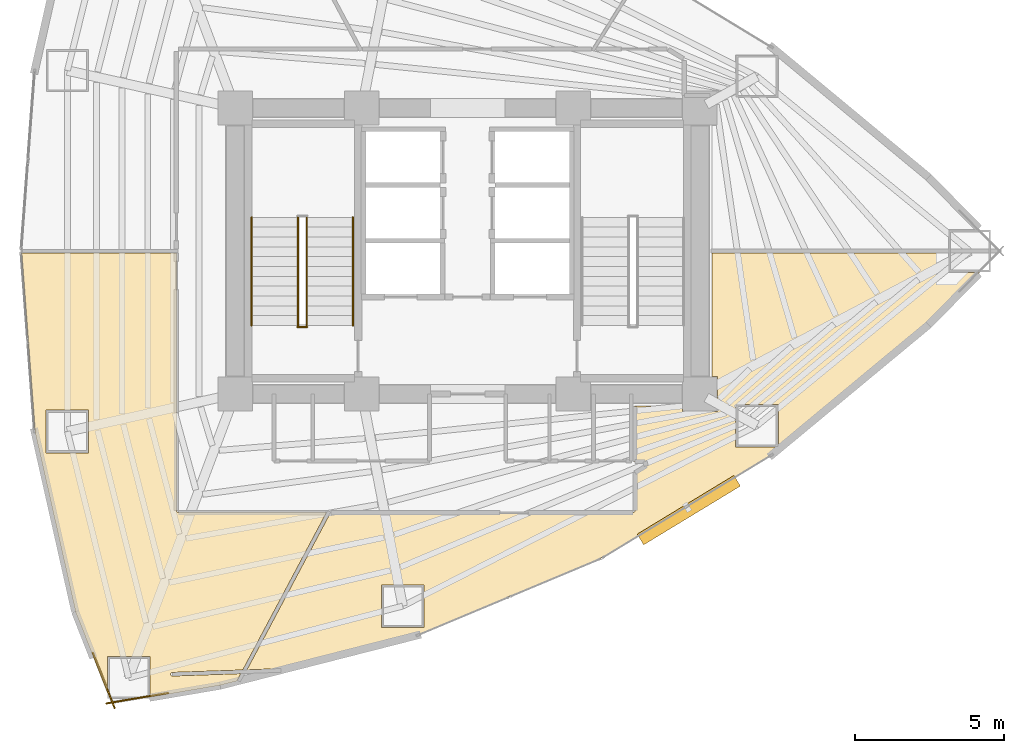
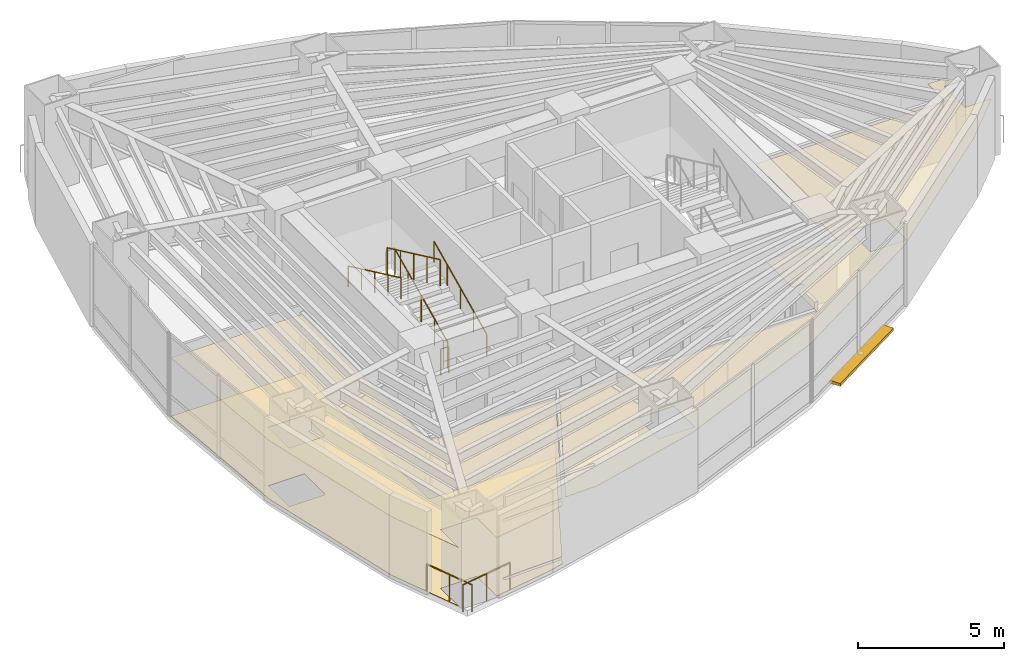
# One storey, part 16 of 18: 7 railings, 3 coverings, 1 shading device.
"""IFC4 building model written with IfcOpenShell, lengths in metres."""

import ifcopenshell
import ifcopenshell.guid

model = None  # the IFC model being written
_history = None  # IfcOwnerHistory: only IFC2X3 demands one
_inside = {}  # id of a spatial element -> (the spatial element, [elements in it])
_under = {}  # id of a project, library or spatial element -> (it, [spatial elements below it])
_declared = {}  # id of a project -> (the project, [libraries it declares])
_typed = {}  # id of a type object -> (the type object, [elements of that type])
_made_of = {}  # id of a material, layer set ... -> (it, [elements and type objects made of it])


def new_model(schema):
    """Start an empty IFC model of exactly this schema.

    Asked for "IFC4X3", IfcOpenShell would pick the latest addendum, in which some entities
    have other attributes; the version numbers below select the first issue.
    IFC2X3 requires an IfcOwnerHistory on every rooted entity: one is made here for all.
    """
    global model, _history
    if schema == "IFC4X3":
        model = ifcopenshell.file(schema_version=(4, 3, 0, 0))
    else:
        model = ifcopenshell.file(schema=schema)
    _inside.clear()
    _under.clear()
    _declared.clear()
    _typed.clear()
    _made_of.clear()
    _history = None
    if model.schema == "IFC2X3":
        org = make("IfcOrganization", Name="unknown")
        user = make(
            "IfcPersonAndOrganization",
            ThePerson=make("IfcPerson", FamilyName="unknown"),
            TheOrganization=org,
        )
        app = make(
            "IfcApplication",
            ApplicationDeveloper=org,
            Version="unknown",
            ApplicationFullName="unknown",
            ApplicationIdentifier="unknown",
        )
        _history = make(
            "IfcOwnerHistory",
            OwningUser=user,
            OwningApplication=app,
            ChangeAction="ADDED",
            CreationDate=0,
        )
    return model


def make(cls, **values):
    """One entity of the class cls with the attributes given. An attribute that is None is left unset."""
    return model.create_entity(
        cls, **{name: value for name, value in values.items() if value is not None}
    )


def rooted(cls, **values):
    """An entity with a GlobalId (a new one), such as an element, a storey or a relation."""
    return make(cls, GlobalId=ifcopenshell.guid.new(), OwnerHistory=_history, **values)


def si_unit(unit_type, name, prefix=None):
    """IfcSIUnit, for example si_unit("LENGTHUNIT", "METRE", prefix="MILLI")."""
    return make("IfcSIUnit", UnitType=unit_type, Prefix=prefix, Name=name)


def assignment(units):
    """IfcUnitAssignment: the units of a project."""
    return None if units is None else make("IfcUnitAssignment", Units=units)


def point(xyz):
    """IfcCartesianPoint."""
    return None if xyz is None else make("IfcCartesianPoint", Coordinates=xyz)


def direction(xyz):
    """IfcDirection."""
    return None if xyz is None else make("IfcDirection", DirectionRatios=xyz)


def frame(location, z_axis=None, x_axis=None):
    """IfcAxis2Placement3D, a coordinate frame: its origin and axes. An axis left out is left unset."""
    return make(
        "IfcAxis2Placement3D",
        Location=point(location),
        Axis=direction(z_axis),
        RefDirection=direction(x_axis),
    )


def frame_2d(location, x_axis=None):
    """IfcAxis2Placement2D, a coordinate frame in the plane: its origin and x axis."""
    return make(
        "IfcAxis2Placement2D", Location=point(location), RefDirection=direction(x_axis)
    )


def origin():
    """The frame at (0, 0, 0) with its axes left unset."""
    return frame((0.0, 0.0, 0.0))


def origin_2d():
    """The frame at (0, 0) in the plane with its x axis left unset."""
    return frame_2d((0.0, 0.0))


def place(relative_to, where):
    """IfcLocalPlacement: puts the frame where relative to a parent placement (None: the world)."""
    return make(
        "IfcLocalPlacement", PlacementRelTo=relative_to, RelativePlacement=where
    )


def context(
    kind, dimensions, precision=None, world=None, true_north=None, identifier=None
):
    """IfcGeometricRepresentationContext, for example the 3D "Model" context."""
    return make(
        "IfcGeometricRepresentationContext",
        ContextIdentifier=identifier,
        ContextType=kind,
        CoordinateSpaceDimension=dimensions,
        Precision=precision,
        WorldCoordinateSystem=world,
        TrueNorth=true_north,
    )


def subcontext(parent, identifier, kind, view, scale=None):
    """IfcGeometricRepresentationSubContext, for example "Body" below "Model"."""
    return make(
        "IfcGeometricRepresentationSubContext",
        ContextIdentifier=identifier,
        ContextType=kind,
        ParentContext=parent,
        TargetScale=scale,
        TargetView=view,
    )


def project(units=None, contexts=None):
    """IfcProject with its units and contexts."""
    return rooted(
        "IfcProject",
        Name="project",
        RepresentationContexts=contexts,
        UnitsInContext=assignment(units),
    )


def spatial(cls, under=None, at=None, **own):
    """A site, building, storey or space (cls), placed at a placement, below another one or the project."""
    s = rooted(cls, ObjectPlacement=at, **own)
    if under is not None:
        _under.setdefault(under.id(), (under, []))[1].append(s)
    return s


def polyline(points):
    """IfcPolyline through the points."""
    return make("IfcPolyline", Points=[point(p) for p in points])


def profile(cls, at=None, kind="AREA", **sizes):
    """A parametric profile (cls). Its sizes go by their IFC names, for example OverallWidth=200.0."""
    return make(cls, ProfileType=kind, Position=at, **sizes)


def rectangle(**sizes):
    """IfcRectangleProfileDef."""
    return profile("IfcRectangleProfileDef", **sizes)


def circle(**sizes):
    """IfcCircleProfileDef."""
    return profile("IfcCircleProfileDef", **sizes)


def outline(outer, holes=None, kind="AREA"):
    """IfcArbitraryClosedProfileDef: a profile drawn as a closed curve; with holes, ...WithVoids."""
    if holes is None:
        return make("IfcArbitraryClosedProfileDef", ProfileType=kind, OuterCurve=outer)
    return make(
        "IfcArbitraryProfileDefWithVoids",
        ProfileType=kind,
        OuterCurve=outer,
        InnerCurves=holes,
    )


def extrude(swept, where, along, depth):
    """IfcExtrudedAreaSolid: the profile swept, set in the frame where, extruded along a direction by depth."""
    return make(
        "IfcExtrudedAreaSolid",
        SweptArea=swept,
        Position=where,
        ExtrudedDirection=direction(along),
        Depth=depth,
    )


def shape(context_of_items, identifier, shape_type, items):
    """IfcShapeRepresentation: the items that make up one representation, for example the "Body"."""
    return make(
        "IfcShapeRepresentation",
        ContextOfItems=context_of_items,
        RepresentationIdentifier=identifier,
        RepresentationType=shape_type,
        Items=items,
    )


def material(Name=None, Category=None):
    """IfcMaterial."""
    return make("IfcMaterial", Name=Name, Category=Category)


def layer(
    of_material, thickness, ventilated=None, Name=None, Category=None, Priority=None
):
    """IfcMaterialLayer: one layer of a wall or slab, of a material (None: an air gap)."""
    return make(
        "IfcMaterialLayer",
        Material=of_material,
        LayerThickness=thickness,
        IsVentilated=ventilated,
        Name=Name,
        Category=Category,
        Priority=Priority,
    )


def layer_set(layers, Name=None):
    """IfcMaterialLayerSet."""
    return make("IfcMaterialLayerSet", MaterialLayers=layers, LayerSetName=Name)


def made_of(thing, what):
    """Note that an element or type object is made of a material, layer set ...; save() writes the relation."""
    if what is not None:
        _made_of.setdefault(what.id(), (what, []))[1].append(thing)
    return thing


def type_object(cls, material=None, **own):
    """A type object (cls), such as IfcWallType, which elements share."""
    return made_of(rooted(cls, **own), material)


def element(
    cls,
    number,
    at=None,
    inside=None,
    cuts=None,
    type_object=None,
    material=None,
    context=None,
    identifier="Body",
    shape_type=None,
    held_by="IfcProductDefinitionShape",
    body=None,
    shapes=None,
    **own,
):
    """One element of the class cls, such as IfcWall. Its Tag is "e" and its number.

    at: its placement. inside: the storey or other place that contains it. cuts: it is an
    opening in that element (IfcRelVoidsElement). A single representation is given by context,
    identifier, shape_type and body (its items); several are given by shapes. held_by: the class
    of the entity that holds the representations. save() writes the other relations.
    """
    e = rooted(cls, Tag="e%d" % number, ObjectPlacement=at, **own)
    if body is not None:
        shapes = [shape(context, identifier, shape_type, body)]
    if shapes is not None:
        e.Representation = make(held_by, Representations=shapes)
    if inside is not None:
        _inside.setdefault(inside.id(), (inside, []))[1].append(e)
    if cuts is not None:
        rooted(
            "IfcRelVoidsElement", RelatingBuildingElement=cuts, RelatedOpeningElement=e
        )
    if type_object is not None:
        _typed.setdefault(type_object.id(), (type_object, []))[1].append(e)
    return made_of(e, material)


def aggregate(whole, parts):
    """IfcRelAggregates: a whole, such as a stair, and the parts it consists of."""
    return rooted("IfcRelAggregates", RelatingObject=whole, RelatedObjects=parts)


def save(model, path):
    """Write the relations noted so far, then the file.

    IfcRelAggregates (storeys below a building ...), IfcRelContainedInSpatialStructure (elements
    in a storey), IfcRelDefinesByType, IfcRelAssociatesMaterial and IfcRelDeclares: one each for
    every whole, place, type object, material and project.
    """
    for whole, parts in _under.values():
        aggregate(whole, parts)
    for where, things in _inside.values():
        rooted(
            "IfcRelContainedInSpatialStructure",
            RelatedElements=things,
            RelatingStructure=where,
        )
    for kind, things in _typed.values():
        rooted("IfcRelDefinesByType", RelatedObjects=things, RelatingType=kind)
    for what, things in _made_of.values():
        rooted("IfcRelAssociatesMaterial", RelatedObjects=things, RelatingMaterial=what)
    for by, libraries in _declared.values():
        rooted("IfcRelDeclares", RelatingContext=by, RelatedDefinitions=libraries)
    model.write(path)


model = new_model("IFC4")

# Units and contexts
model_context = context("Model", 3, precision=1e-05, world=origin(), true_north=direction((0.0, 1.0)))
body_context = subcontext(model_context, "Body", "Model", "MODEL_VIEW")
ifc_project = project(units=[si_unit("LENGTHUNIT", "METRE"), si_unit("AREAUNIT", "SQUARE_METRE"), si_unit("VOLUMEUNIT", "CUBIC_METRE"), si_unit("PLANEANGLEUNIT", "RADIAN"), si_unit("MASSUNIT", "GRAM", prefix="KILO")], contexts=[model_context])

# Site, building, storey
site_placement = place(None, origin())
site = spatial("IfcSite", under=ifc_project, at=site_placement, CompositionType="ELEMENT")
building_placement = place(site_placement, origin())
building = spatial("IfcBuilding", under=site, at=building_placement, Name="Menara Vayukalpa", CompositionType="ELEMENT")
storey_placement = place(building_placement, frame((0.0, 0.0, 35.0400390625)))
storey = spatial("IfcBuildingStorey", under=building, at=storey_placement, Name="L07", CompositionType="ELEMENT", Elevation=35.0400390625)

# Coverings
ifc_material_1 = material(Name="Mineral Fibre Acoustic Ceiling Tile", Category="masonry")
ifc_layer_1 = layer(ifc_material_1, 0.02490234375)
ifc_layer_set_1 = layer_set([ifc_layer_1], Name="Mineral Fibre Acoustic Ceiling Tile")
covering_type_1 = type_object("IfcCoveringType", Name="COV-CLG1", PredefinedType="CEILING", material=ifc_layer_set_1)
covering_1_placement = place(storey_placement, frame((0.0, 0.0, 2.449951171875)))
element("IfcCovering", 1, at=covering_1_placement, inside=storey, type_object=covering_type_1, Name="L07 Open Plan Office Workplace Acoustic Ceiling", PredefinedType="CEILING", context=body_context, shape_type="SweptSolid", body=[
    extrude(outline(polyline([(12.4375, 9.883056640625), (12.437255859375, 9.8837890625), (12.43701171875, 9.884521484375), (11.07421875, 15.941162109375), (11.073974609375, 15.942626953125), (10.625, 21.92919921875), (10.625, 21.93017578125), (10.625, 21.93115234375), (10.625244140625, 21.93212890625), (10.62548828125, 21.93310546875), (10.625732421875, 21.93408203125), (10.626220703125, 21.934814453125), (10.626708984375, 21.935791015625), (10.627197265625, 21.936279296875), (10.6279296875, 21.93701171875), (10.628662109375, 21.937744140625), (10.62939453125, 21.9384765625), (10.63037109375, 21.93896484375), (10.631103515625, 21.939208984375), (10.632080078125, 21.939697265625), (10.633056640625, 21.939697265625), (10.634033203125, 21.93994140625), (10.635009765625, 21.93994140625), (15.820068359375, 21.93994140625), (15.821044921875, 21.93994140625), (15.822021484375, 21.939697265625), (15.822998046875, 21.939697265625), (15.82373046875, 21.939208984375), (15.82470703125, 21.938720703125), (15.82568359375, 21.938232421875), (15.826416015625, 21.937744140625), (15.8271484375, 21.93701171875), (15.82763671875, 21.936279296875), (15.828369140625, 21.935546875), (15.828857421875, 21.934814453125), (15.8291015625, 21.933837890625), (15.82958984375, 21.932861328125), (15.829833984375, 21.931884765625), (15.830078125, 21.930908203125), (15.830078125, 21.929931640625), (15.830078125, 13.290283203125), (15.830322265625, 13.283203125), (15.831298828125, 13.2763671875), (15.8330078125, 13.269775390625), (15.835205078125, 13.26318359375), (15.838134765625, 13.257080078125), (15.841796875, 13.251220703125), (15.845947265625, 13.24560546875), (15.8505859375, 13.240478515625), (15.85546875, 13.236083984375), (15.861083984375, 13.231689453125), (15.866943359375, 13.228271484375), (15.873291015625, 13.225341796875), (15.879638671875, 13.222900390625), (15.88623046875, 13.22119140625), (15.893310546875, 13.220458984375), (15.900390625, 13.219970703125), (20.846923828125, 13.219970703125), (20.847900390625, 13.219970703125), (20.848876953125, 13.2197265625), (20.849853515625, 13.219482421875), (20.850830078125, 13.21923828125), (20.851806640625, 13.21875), (20.8525390625, 13.21826171875), (20.853271484375, 13.2177734375), (20.85400390625, 13.217041015625), (20.854736328125, 13.21630859375), (20.855224609375, 13.215576171875), (20.855712890625, 13.214599609375), (20.856201171875, 13.2138671875), (20.856689453125, 13.212890625), (20.856689453125, 13.2119140625), (20.85693359375, 13.2109375), (20.85693359375, 13.2099609375), (20.85693359375, 13.208984375), (20.856689453125, 13.2080078125), (20.856689453125, 13.20703125), (20.856201171875, 13.206298828125), (20.855712890625, 13.205322265625), (18.054443359375, 7.936767578125), (18.053955078125, 7.935791015625), (18.053466796875, 7.93505859375), (18.052734375, 7.934326171875), (18.052001953125, 7.933837890625), (18.05126953125, 7.93310546875), (18.050537109375, 7.9326171875), (18.049560546875, 7.932373046875), (18.048828125, 7.931884765625), (18.0478515625, 7.931640625), (18.046875, 7.931396484375), (18.0458984375, 7.931396484375), (15.68798828125, 7.84912109375), (15.681884765625, 7.8486328125), (15.67626953125, 7.847412109375), (15.67041015625, 7.845703125), (15.6650390625, 7.84375), (15.659912109375, 7.8408203125), (15.65478515625, 7.837890625), (15.650146484375, 7.833984375), (15.64599609375, 7.830078125), (15.642333984375, 7.825439453125), (15.638916015625, 7.82080078125), (15.635986328125, 7.8154296875), (15.6337890625, 7.81005859375), (15.632080078125, 7.804443359375), (15.630615234375, 7.798583984375), (15.630126953125, 7.79296875), (15.6298828125, 7.786865234375), (15.63037109375, 7.781005859375), (15.631591796875, 7.775390625), (15.63330078125, 7.76953125), (15.63525390625, 7.76416015625), (15.63818359375, 7.7587890625), (15.64111328125, 7.754150390625), (15.64501953125, 7.74951171875), (15.64892578125, 7.7451171875), (15.653564453125, 7.741455078125), (15.658447265625, 7.738037109375), (15.66357421875, 7.735107421875), (15.6689453125, 7.73291015625), (15.674560546875, 7.731201171875), (15.680419921875, 7.72998046875), (15.686279296875, 7.729248046875), (15.6923828125, 7.72900390625), (17.969482421875, 7.80859375), (17.97021484375, 7.80859375), (17.97119140625, 7.80859375), (17.972412109375, 7.808349609375), (17.973388671875, 7.807861328125), (17.97412109375, 7.8076171875), (17.97509765625, 7.80712890625), (17.975830078125, 7.806396484375), (17.9765625, 7.805908203125), (17.977294921875, 7.80517578125), (17.977783203125, 7.80419921875), (17.978515625, 7.803466796875), (17.97900390625, 7.802490234375), (17.979248046875, 7.801513671875), (17.9794921875, 7.80078125), (17.9794921875, 7.7998046875), (17.979736328125, 7.798583984375), (17.979736328125, 7.797607421875), (17.9794921875, 7.796630859375), (17.979248046875, 7.795654296875), (17.97900390625, 7.794921875), (17.978515625, 7.7939453125), (17.86767578125, 7.585205078125), (17.864990234375, 7.57958984375), (17.863037109375, 7.57421875), (17.861572265625, 7.568603515625), (17.861572265625, 7.568359375), (17.861328125, 7.5673828125), (17.861083984375, 7.56640625), (17.860595703125, 7.5654296875), (17.860107421875, 7.564697265625), (17.859375, 7.563720703125), (17.858642578125, 7.56298828125), (17.85791015625, 7.5625), (17.857177734375, 7.561767578125), (17.856201171875, 7.561279296875), (17.855224609375, 7.560791015625), (17.854248046875, 7.560546875), (17.285888671875, 7.415771484375), (17.28515625, 7.41552734375), (14.9326171875, 7.01611328125), (14.9326171875, 8.380615234375), (13.502685546875, 8.380615234375), (13.502685546875, 7.1708984375), (12.4375, 9.883056640625)]), holes=[polyline([(12.879150390625, 16.655517578125), (11.44921875, 16.655517578125), (11.44921875, 15.225341796875), (12.879150390625, 15.225341796875), (12.879150390625, 16.655517578125)])]), origin(), (0.0, 0.0, 1.0), 0.02490234375),
])
covering_2_placement = place(storey_placement, frame((0.0, 0.0, 2.449951171875)))
element("IfcCovering", 2, at=covering_2_placement, inside=storey, type_object=covering_type_1, Name="L07 Executive Boardroom Acoustic Ceiling", PredefinedType="CEILING", context=body_context, shape_type="SweptSolid", body=[
    extrude(outline(polyline([(23.916015625, 9.106689453125), (23.914794921875, 9.106201171875), (19.385498046875, 7.951171875), (19.384521484375, 7.950927734375), (19.38330078125, 7.95068359375), (19.382568359375, 7.95068359375), (19.381591796875, 7.950927734375), (19.380615234375, 7.951171875), (19.379638671875, 7.951416015625), (19.378662109375, 7.95166015625), (19.377685546875, 7.9521484375), (19.376953125, 7.95263671875), (19.376220703125, 7.953369140625), (19.37548828125, 7.9541015625), (19.375, 7.954833984375), (19.3740234375, 7.955810546875), (19.3701171875, 7.960205078125), (19.365478515625, 7.9638671875), (19.360595703125, 7.96728515625), (19.355712890625, 7.969970703125), (19.35009765625, 7.972412109375), (19.344482421875, 7.97412109375), (19.3388671875, 7.975341796875), (19.3330078125, 7.97607421875), (19.326904296875, 7.97607421875), (18.20751953125, 7.93701171875), (18.20654296875, 7.93701171875), (18.20556640625, 7.93701171875), (18.20458984375, 7.937255859375), (18.20361328125, 7.937744140625), (18.20263671875, 7.93798828125), (18.201904296875, 7.9384765625), (18.200927734375, 7.939208984375), (18.2001953125, 7.939697265625), (18.19970703125, 7.9404296875), (18.198974609375, 7.94140625), (18.198486328125, 7.942138671875), (18.197998046875, 7.943115234375), (18.19775390625, 7.944091796875), (18.197509765625, 7.94482421875), (18.197265625, 7.94580078125), (18.197265625, 7.947021484375), (18.197265625, 7.947998046875), (18.197509765625, 7.948974609375), (18.197509765625, 7.949951171875), (18.197998046875, 7.95068359375), (18.198486328125, 7.95166015625), (20.996826171875, 13.214599609375), (20.997314453125, 13.215576171875), (20.997802734375, 13.21630859375), (20.99853515625, 13.217041015625), (20.999267578125, 13.2177734375), (21.0, 13.21826171875), (21.0009765625, 13.21875), (21.001708984375, 13.21923828125), (21.002685546875, 13.219482421875), (21.003662109375, 13.2197265625), (21.004638671875, 13.219970703125), (21.005615234375, 13.219970703125), (31.149658203125, 13.219970703125), (31.15673828125, 13.220458984375), (31.163818359375, 13.22119140625), (31.17041015625, 13.222900390625), (31.1767578125, 13.225341796875), (31.18310546875, 13.228271484375), (31.188720703125, 13.231689453125), (31.194580078125, 13.236083984375), (31.199462890625, 13.240478515625), (31.2041015625, 13.24560546875), (31.208251953125, 13.251220703125), (31.2119140625, 13.257080078125), (31.214599609375, 13.26318359375), (31.217041015625, 13.269775390625), (31.21875, 13.2763671875), (31.219482421875, 13.283203125), (31.219970703125, 13.290283203125), (31.219970703125, 14.55810546875), (31.22021484375, 14.55908203125), (31.22021484375, 14.56005859375), (31.220458984375, 14.56103515625), (31.220703125, 14.56201171875), (31.22119140625, 14.56298828125), (31.2216796875, 14.563720703125), (31.222412109375, 14.564697265625), (31.22314453125, 14.565185546875), (31.22412109375, 14.56591796875), (31.224853515625, 14.56640625), (31.5927734375, 14.7900390625), (31.5986328125, 14.794189453125), (31.60400390625, 14.798583984375), (31.60888671875, 14.803466796875), (31.61328125, 14.80908203125), (31.6171875, 14.81494140625), (31.620361328125, 14.821044921875), (31.622802734375, 14.82763671875), (31.624755859375, 14.83447265625), (31.626220703125, 14.84130859375), (31.626708984375, 14.84814453125), (31.62646484375, 14.85498046875), (31.62548828125, 14.862060546875), (31.6240234375, 14.868896484375), (31.621826171875, 14.87548828125), (31.618896484375, 14.8818359375), (31.615478515625, 14.887939453125), (31.611328125, 14.8935546875), (31.606689453125, 14.898681640625), (31.6015625, 14.903564453125), (31.59619140625, 14.90771484375), (31.590087890625, 14.911376953125), (31.583740234375, 14.91455078125), (31.5771484375, 14.916748046875), (31.570556640625, 14.918701171875), (31.563720703125, 14.919677734375), (31.556396484375, 14.919921875), (31.219970703125, 14.919921875), (31.218994140625, 14.919921875), (31.218017578125, 14.920166015625), (31.217041015625, 14.92041015625), (31.21630859375, 14.9208984375), (31.21533203125, 14.921142578125), (31.21435546875, 14.921630859375), (31.213623046875, 14.92236328125), (31.212890625, 14.9228515625), (31.21240234375, 14.923583984375), (31.211669921875, 14.92431640625), (31.211181640625, 14.92529296875), (31.210693359375, 14.92626953125), (31.21044921875, 14.927001953125), (31.210205078125, 14.927978515625), (31.2099609375, 14.928955078125), (31.2099609375, 14.929931640625), (31.2099609375, 16.780029296875), (31.2099609375, 16.781005859375), (31.210205078125, 16.781982421875), (31.21044921875, 16.782958984375), (31.210693359375, 16.78369140625), (31.211181640625, 16.78466796875), (31.211669921875, 16.78564453125), (31.21240234375, 16.786376953125), (31.212890625, 16.787109375), (31.213623046875, 16.78759765625), (31.21435546875, 16.788330078125), (31.21533203125, 16.788818359375), (31.21630859375, 16.789306640625), (31.217041015625, 16.78955078125), (31.218017578125, 16.789794921875), (31.218994140625, 16.7900390625), (31.219970703125, 16.7900390625), (32.389892578125, 16.7900390625), (32.389892578125, 16.85009765625), (32.81005859375, 16.85009765625), (32.81005859375, 16.610107421875), (33.989990234375, 16.610107421875), (33.989990234375, 17.7900390625), (33.81005859375, 17.7900390625), (33.81005859375, 21.929931640625), (33.81005859375, 21.930908203125), (33.810302734375, 21.931884765625), (33.810302734375, 21.932861328125), (33.810791015625, 21.933837890625), (33.811279296875, 21.934814453125), (33.811767578125, 21.935546875), (33.812255859375, 21.936279296875), (33.81298828125, 21.93701171875), (33.813720703125, 21.937744140625), (33.814453125, 21.938232421875), (33.815185546875, 21.938720703125), (33.816162109375, 21.939208984375), (33.817138671875, 21.939697265625), (33.818115234375, 21.939697265625), (33.819091796875, 21.93994140625), (33.820068359375, 21.93994140625), (41.329833984375, 21.93994140625), (41.329833984375, 23.135009765625), (42.008056640625, 23.135009765625), (42.42041015625, 22.715087890625), (41.749755859375, 22.715087890625), (41.749755859375, 21.284912109375), (42.798828125, 21.284912109375), (41.078369140625, 19.53271484375), (41.07763671875, 19.531982421875), (35.81201171875, 15.165283203125), (35.810791015625, 15.164306640625), (30.09130859375, 11.68994140625), (30.090576171875, 11.689697265625), (30.08984375, 11.689208984375), (23.916015625, 9.106689453125)]), holes=[polyline([(24.134521484375, 10.792236328125), (22.704345703125, 10.792236328125), (22.704345703125, 9.3623046875), (24.134521484375, 9.3623046875), (24.134521484375, 10.792236328125)]), polyline([(36.032958984375, 16.851806640625), (34.60302734375, 16.851806640625), (34.60302734375, 15.421875), (36.032958984375, 15.421875), (36.032958984375, 16.851806640625)])]), origin(), (0.0, 0.0, 1.0), 0.02490234375),
])
ifc_material_2 = material(Name="Porcelain Stoneware Floor Tile", Category="masonry")
ifc_layer_2 = layer(ifc_material_2, 0.02001953125)
ifc_layer_set_2 = layer_set([ifc_layer_2], Name="Porcelain Stoneware Floor Tile")
covering_type_2 = type_object("IfcCoveringType", Name="COV-FLR1", PredefinedType="FLOORING", material=ifc_layer_set_2)
covering_3_placement = place(storey_placement, origin())
element("IfcCovering", 3, at=covering_3_placement, inside=storey, type_object=covering_type_2, Name="L07 Open Plan Office Workplace Porcelain Flooring", PredefinedType="FLOORING", context=body_context, shape_type="SweptSolid", body=[
    extrude(outline(polyline([(12.4375, 9.883056640625), (12.437255859375, 9.8837890625), (12.43701171875, 9.884521484375), (11.07421875, 15.941162109375), (11.073974609375, 15.942626953125), (10.625, 21.92919921875), (10.625, 21.93017578125), (10.625, 21.93115234375), (10.625244140625, 21.93212890625), (10.62548828125, 21.93310546875), (10.625732421875, 21.93408203125), (10.626220703125, 21.934814453125), (10.626708984375, 21.935791015625), (10.627197265625, 21.936279296875), (10.6279296875, 21.93701171875), (10.628662109375, 21.937744140625), (10.62939453125, 21.9384765625), (10.63037109375, 21.93896484375), (10.631103515625, 21.939208984375), (10.632080078125, 21.939697265625), (10.633056640625, 21.939697265625), (10.634033203125, 21.93994140625), (10.635009765625, 21.93994140625), (15.820068359375, 21.93994140625), (15.821044921875, 21.93994140625), (15.822021484375, 21.939697265625), (15.822998046875, 21.939697265625), (15.82373046875, 21.939208984375), (15.82470703125, 21.938720703125), (15.82568359375, 21.938232421875), (15.826416015625, 21.937744140625), (15.8271484375, 21.93701171875), (15.82763671875, 21.936279296875), (15.828369140625, 21.935546875), (15.828857421875, 21.934814453125), (15.8291015625, 21.933837890625), (15.82958984375, 21.932861328125), (15.829833984375, 21.931884765625), (15.830078125, 21.930908203125), (15.830078125, 21.929931640625), (15.830078125, 13.290283203125), (15.830322265625, 13.283203125), (15.831298828125, 13.2763671875), (15.8330078125, 13.269775390625), (15.835205078125, 13.26318359375), (15.838134765625, 13.257080078125), (15.841796875, 13.251220703125), (15.845947265625, 13.24560546875), (15.8505859375, 13.240478515625), (15.85546875, 13.236083984375), (15.861083984375, 13.231689453125), (15.866943359375, 13.228271484375), (15.873291015625, 13.225341796875), (15.879638671875, 13.222900390625), (15.88623046875, 13.22119140625), (15.893310546875, 13.220458984375), (15.900390625, 13.219970703125), (20.846923828125, 13.219970703125), (20.847900390625, 13.219970703125), (20.848876953125, 13.2197265625), (20.849853515625, 13.219482421875), (20.850830078125, 13.21923828125), (20.851806640625, 13.21875), (20.8525390625, 13.21826171875), (20.853271484375, 13.2177734375), (20.85400390625, 13.217041015625), (20.854736328125, 13.21630859375), (20.855224609375, 13.215576171875), (20.855712890625, 13.214599609375), (20.856201171875, 13.2138671875), (20.856689453125, 13.212890625), (20.856689453125, 13.2119140625), (20.85693359375, 13.2109375), (20.85693359375, 13.2099609375), (20.85693359375, 13.208984375), (20.856689453125, 13.2080078125), (20.856689453125, 13.20703125), (20.856201171875, 13.206298828125), (20.855712890625, 13.205322265625), (18.054443359375, 7.936767578125), (18.053955078125, 7.935791015625), (18.053466796875, 7.93505859375), (18.052734375, 7.934326171875), (18.052001953125, 7.933837890625), (18.05126953125, 7.93310546875), (18.050537109375, 7.9326171875), (18.049560546875, 7.932373046875), (18.048828125, 7.931884765625), (18.0478515625, 7.931640625), (18.046875, 7.931396484375), (18.0458984375, 7.931396484375), (15.68798828125, 7.84912109375), (15.681884765625, 7.8486328125), (15.67626953125, 7.847412109375), (15.67041015625, 7.845703125), (15.6650390625, 7.84375), (15.659912109375, 7.8408203125), (15.65478515625, 7.837890625), (15.650146484375, 7.833984375), (15.64599609375, 7.830078125), (15.642333984375, 7.825439453125), (15.638916015625, 7.82080078125), (15.635986328125, 7.8154296875), (15.6337890625, 7.81005859375), (15.632080078125, 7.804443359375), (15.630615234375, 7.798583984375), (15.630126953125, 7.79296875), (15.6298828125, 7.786865234375), (15.63037109375, 7.781005859375), (15.631591796875, 7.775390625), (15.63330078125, 7.76953125), (15.63525390625, 7.76416015625), (15.63818359375, 7.7587890625), (15.64111328125, 7.754150390625), (15.64501953125, 7.74951171875), (15.64892578125, 7.7451171875), (15.653564453125, 7.741455078125), (15.658447265625, 7.738037109375), (15.66357421875, 7.735107421875), (15.6689453125, 7.73291015625), (15.674560546875, 7.731201171875), (15.680419921875, 7.72998046875), (15.686279296875, 7.729248046875), (15.6923828125, 7.72900390625), (17.969482421875, 7.80859375), (17.97021484375, 7.80859375), (17.97119140625, 7.80859375), (17.972412109375, 7.808349609375), (17.973388671875, 7.807861328125), (17.97412109375, 7.8076171875), (17.97509765625, 7.80712890625), (17.975830078125, 7.806396484375), (17.9765625, 7.805908203125), (17.977294921875, 7.80517578125), (17.977783203125, 7.80419921875), (17.978515625, 7.803466796875), (17.97900390625, 7.802490234375), (17.979248046875, 7.801513671875), (17.9794921875, 7.80078125), (17.9794921875, 7.7998046875), (17.979736328125, 7.798583984375), (17.979736328125, 7.797607421875), (17.9794921875, 7.796630859375), (17.979248046875, 7.795654296875), (17.97900390625, 7.794921875), (17.978515625, 7.7939453125), (17.86767578125, 7.585205078125), (17.864990234375, 7.57958984375), (17.863037109375, 7.57421875), (17.861572265625, 7.568603515625), (17.861572265625, 7.568359375), (17.861328125, 7.5673828125), (17.861083984375, 7.56640625), (17.860595703125, 7.5654296875), (17.860107421875, 7.564697265625), (17.859375, 7.563720703125), (17.858642578125, 7.56298828125), (17.85791015625, 7.5625), (17.857177734375, 7.561767578125), (17.856201171875, 7.561279296875), (17.855224609375, 7.560791015625), (17.854248046875, 7.560546875), (17.285888671875, 7.415771484375), (17.28515625, 7.41552734375), (14.9326171875, 7.01611328125), (14.9326171875, 8.380615234375), (13.502685546875, 8.380615234375), (13.502685546875, 7.1708984375), (12.4375, 9.883056640625)]), holes=[polyline([(12.879150390625, 16.655517578125), (11.44921875, 16.655517578125), (11.44921875, 15.225341796875), (12.879150390625, 15.225341796875), (12.879150390625, 16.655517578125)])]), origin(), (0.0, 0.0, 1.0), 0.02001953125),
])

# Railings
ifc_material_3 = material(Name="Laminated Glass and Stainless Steel 316 Guardrail", Category="steel")
railing_type_1 = type_object("IfcRailingType", Name="RLG-EXT115", PredefinedType="GUARDRAIL", material=ifc_material_3)
railing_1_placement = place(storey_placement, frame((13.02099609375, 8.50634765625, 0.0)))
element("IfcRailing", 4, at=railing_1_placement, inside=storey, type_object=railing_type_1, Name="L07 Column Corner Spandrel Guardrail 13-1", PredefinedType="GUARDRAIL", context=body_context, shape_type="SweptSolid", body=[
    extrude(circle(Radius=0.02392578125, at=origin_2d()), frame((0.0, 0.0, 1.1259765625), z_axis=(0.365580158762, -0.930779859859, 0.0), x_axis=(0.930779859859, 0.365580158762, 0.0)), (0.0, 0.0, 1.0), 1.9873046875),
    extrude(circle(Radius=0.02099609375, at=origin_2d()), origin(), (0.0, 0.0, 1.0), 1.101806640625),
    extrude(circle(Radius=0.02099609375, at=origin_2d()), frame((0.36328125, -0.9248046875, 0.0)), (0.0, 0.0, 1.0), 1.101806640625),
    extrude(circle(Radius=0.02099609375, at=origin_2d()), frame((0.7265625, -1.849853515625, 0.0)), (0.0, 0.0, 1.0), 1.101806640625),
])
railing_2_placement = place(storey_placement, frame((13.4765625, 6.8095703125, 0.0)))
element("IfcRailing", 5, at=railing_2_placement, inside=storey, type_object=railing_type_1, Name="L07 Column Corner Spandrel Guardrail 14-1", PredefinedType="GUARDRAIL", context=body_context, shape_type="SweptSolid", body=[
    extrude(circle(Radius=0.02392578125, at=origin_2d()), frame((0.0, 0.0, 1.1259765625), z_axis=(0.985904350491, 0.167309927029, 0.0), x_axis=(-0.167309927029, 0.985904350491, 0.0)), (0.0, 0.0, 1.0), 2.093994140625),
    extrude(circle(Radius=0.02099609375, at=origin_2d()), origin(), (0.0, 0.0, 1.0), 1.101806640625),
    extrude(circle(Radius=0.02099609375, at=origin_2d()), frame((1.0322265625, 0.17529296875, 0.0)), (0.0, 0.0, 1.0), 1.101806640625),
    extrude(circle(Radius=0.02099609375, at=origin_2d()), frame((2.064453125, 0.350341796875, 0.0)), (0.0, 0.0, 1.0), 1.101806640625),
])
ifc_material_4 = material(Name="Powder-Coated Galvanised Steel Guardrail", Category="steel")
railing_type_2 = type_object("IfcRailingType", Name="RLG-STG110", PredefinedType="GUARDRAIL", material=ifc_material_4)
railing_3_placement = place(storey_placement, frame((20.199951171875, 19.5, 0.155029296875)))
element("IfcRailing", 6, at=railing_3_placement, inside=storey, type_object=railing_type_2, Name="L07 ST-1 stair guard 1", PredefinedType="GUARDRAIL", context=body_context, shape_type="SweptSolid", body=[
    extrude(circle(Radius=0.02392578125, at=origin_2d()), frame((0.0, 0.0, 1.09619140625), z_axis=(0.0, 0.90513990983, 0.425113800803), x_axis=(-1.0, 0.0, 0.0)), (0.0, 0.0, 1.0), 4.01025390625),
    extrude(circle(Radius=0.02099609375, at=origin_2d()), origin(), (0.0, 0.0, 1.0), 1.072021484375),
    extrude(circle(Radius=0.02099609375, at=origin_2d()), frame((0.0, 0.907470703125, 0.42626953125)), (0.0, 0.0, 1.0), 1.072021484375),
    extrude(circle(Radius=0.02099609375, at=origin_2d()), frame((0.0, 1.81494140625, 0.8525390625)), (0.0, 0.0, 1.0), 1.072021484375),
    extrude(circle(Radius=0.02099609375, at=origin_2d()), frame((0.0, 2.722412109375, 1.278564453125)), (0.0, 0.0, 1.0), 1.072021484375),
    extrude(circle(Radius=0.02099609375, at=origin_2d()), frame((0.0, 3.6298828125, 1.704833984375)), (0.0, 0.0, 1.0), 1.072021484375),
])
railing_4_placement = place(storey_placement, frame((19.89990234375, 23.1298828125, 2.014892578125)))
element("IfcRailing", 7, at=railing_4_placement, inside=storey, type_object=railing_type_2, Name="L07 ST-1 stair guard 3", PredefinedType="GUARDRAIL", context=body_context, shape_type="SweptSolid", body=[
    extrude(circle(Radius=0.02392578125, at=origin_2d()), frame((0.0, 0.0, 1.09619140625), z_axis=(0.0, -0.90511648382, 0.425163675209), x_axis=(1.0, 0.0, 0.0)), (0.0, 0.0, 1.0), 4.010498046875),
    extrude(circle(Radius=0.02099609375, at=origin_2d()), origin(), (0.0, 0.0, 1.0), 1.072021484375),
    extrude(circle(Radius=0.02099609375, at=origin_2d()), frame((0.0, -0.907470703125, 0.42626953125)), (0.0, 0.0, 1.0), 1.072021484375),
    extrude(circle(Radius=0.02099609375, at=origin_2d()), frame((0.0, -1.81494140625, 0.8525390625)), (0.0, 0.0, 1.0), 1.072021484375),
    extrude(circle(Radius=0.02099609375, at=origin_2d()), frame((0.0, -2.722412109375, 1.27880859375)), (0.0, 0.0, 1.0), 1.072021484375),
    extrude(circle(Radius=0.02099609375, at=origin_2d()), frame((0.0, -3.6298828125, 1.705078125)), (0.0, 0.0, 1.0), 1.072021484375),
])
railing_5_placement = place(storey_placement, frame((20.2099609375, 19.449951171875, 0.0)))
element("IfcRailing", 8, at=railing_5_placement, inside=storey, type_object=railing_type_2, Name="L07 ST-1 stair guard 4", PredefinedType="GUARDRAIL", context=body_context, shape_type="SweptSolid", body=[
    extrude(circle(Radius=0.02392578125, at=origin_2d()), frame((0.0, 0.0, 1.09619140625), z_axis=(-1.0, 0.0, 0.0), x_axis=(0.0, -1.0, 0.0)), (0.0, 0.0, 1.0), 0.320068359375),
    extrude(circle(Radius=0.02099609375, at=origin_2d()), origin(), (0.0, 0.0, 1.0), 1.072021484375),
    extrude(circle(Radius=0.02099609375, at=origin_2d()), frame((-0.320068359375, 0.0, 0.0)), (0.0, 0.0, 1.0), 1.072021484375),
])
ifc_material_5 = material(Name="Stainless Steel 316 Tubular Handrail", Category="steel")
railing_type_3 = type_object("IfcRailingType", Name="RLG-STH090", PredefinedType="HANDRAIL", material=ifc_material_5)
railing_6_placement = place(storey_placement, frame((21.75, 19.5, 0.155029296875)))
element("IfcRailing", 9, at=railing_6_placement, inside=storey, type_object=railing_type_3, Name="L07 ST-1 stair handrail 1", PredefinedType="HANDRAIL", context=body_context, shape_type="SweptSolid", body=[
    extrude(circle(Radius=0.02392578125, at=origin_2d()), frame((0.0, 0.0, 0.8759765625), z_axis=(0.0, 0.90513990983, 0.425113800803), x_axis=(-1.0, 0.0, 0.0)), (0.0, 0.0, 1.0), 4.01025390625),
    extrude(circle(Radius=0.02099609375, at=origin_2d()), origin(), (0.0, 0.0, 1.0), 0.851806640625),
    extrude(circle(Radius=0.02099609375, at=origin_2d()), frame((0.0, 0.907470703125, 0.42626953125)), (0.0, 0.0, 1.0), 0.851806640625),
    extrude(circle(Radius=0.02099609375, at=origin_2d()), frame((0.0, 1.81494140625, 0.8525390625)), (0.0, 0.0, 1.0), 0.851806640625),
    extrude(circle(Radius=0.02099609375, at=origin_2d()), frame((0.0, 2.722412109375, 1.278564453125)), (0.0, 0.0, 1.0), 0.851806640625),
    extrude(circle(Radius=0.02099609375, at=origin_2d()), frame((0.0, 3.6298828125, 1.704833984375)), (0.0, 0.0, 1.0), 0.851806640625),
])
railing_7_placement = place(storey_placement, frame((18.35009765625, 23.1298828125, 2.014892578125)))
element("IfcRailing", 10, at=railing_7_placement, inside=storey, type_object=railing_type_3, Name="L07 ST-1 stair handrail 2", PredefinedType="HANDRAIL", context=body_context, shape_type="SweptSolid", body=[
    extrude(circle(Radius=0.02392578125, at=origin_2d()), frame((0.0, 0.0, 0.8759765625), z_axis=(0.0, -0.90511648382, 0.425163675209), x_axis=(1.0, 0.0, 0.0)), (0.0, 0.0, 1.0), 4.010498046875),
    extrude(circle(Radius=0.02099609375, at=origin_2d()), origin(), (0.0, 0.0, 1.0), 0.851806640625),
    extrude(circle(Radius=0.02099609375, at=origin_2d()), frame((0.0, -0.907470703125, 0.42626953125)), (0.0, 0.0, 1.0), 0.851806640625),
    extrude(circle(Radius=0.02099609375, at=origin_2d()), frame((0.0, -1.81494140625, 0.8525390625)), (0.0, 0.0, 1.0), 0.851806640625),
    extrude(circle(Radius=0.02099609375, at=origin_2d()), frame((0.0, -2.722412109375, 1.27880859375)), (0.0, 0.0, 1.0), 0.851806640625),
    extrude(circle(Radius=0.02099609375, at=origin_2d()), frame((0.0, -3.6298828125, 1.705078125)), (0.0, 0.0, 1.0), 0.851806640625),
])

# Shading device
ifc_material_6 = material(Name="Glazed Terracotta Ceramic Baguette Extrusion", Category="masonry")
ifc_layer_3 = layer(ifc_material_6, 0.1201171875)
ifc_layer_set_3 = layer_set([ifc_layer_3], Name="Glazed Terracotta Ceramic Baguette Extrusion")
shading_device_type = type_object("IfcShadingDeviceType", Name="SHD-SS1", PredefinedType="USERDEFINED", material=ifc_layer_set_3)
shading_device_placement = place(storey_placement, frame((33.02880859375, 13.298828125, -0.10009765625), z_axis=(0.0, 0.0, 1.0), x_axis=(0.85466730962, 0.519176068272, 0.0)))
element("IfcShadingDevice", 11, at=shading_device_placement, inside=storey, type_object=shading_device_type, Name="L07 Horizontal Terracotta Sunshade Band 17", ObjectType="SUNSHADE", PredefinedType="USERDEFINED", context=body_context, shape_type="SweptSolid", body=[
    extrude(rectangle(XDim=3.800048828125, YDim=0.419921875, at=origin_2d()), origin(), (0.0, 0.0, 1.0), 0.1201171875),
])

save(model, "model.ifc")
